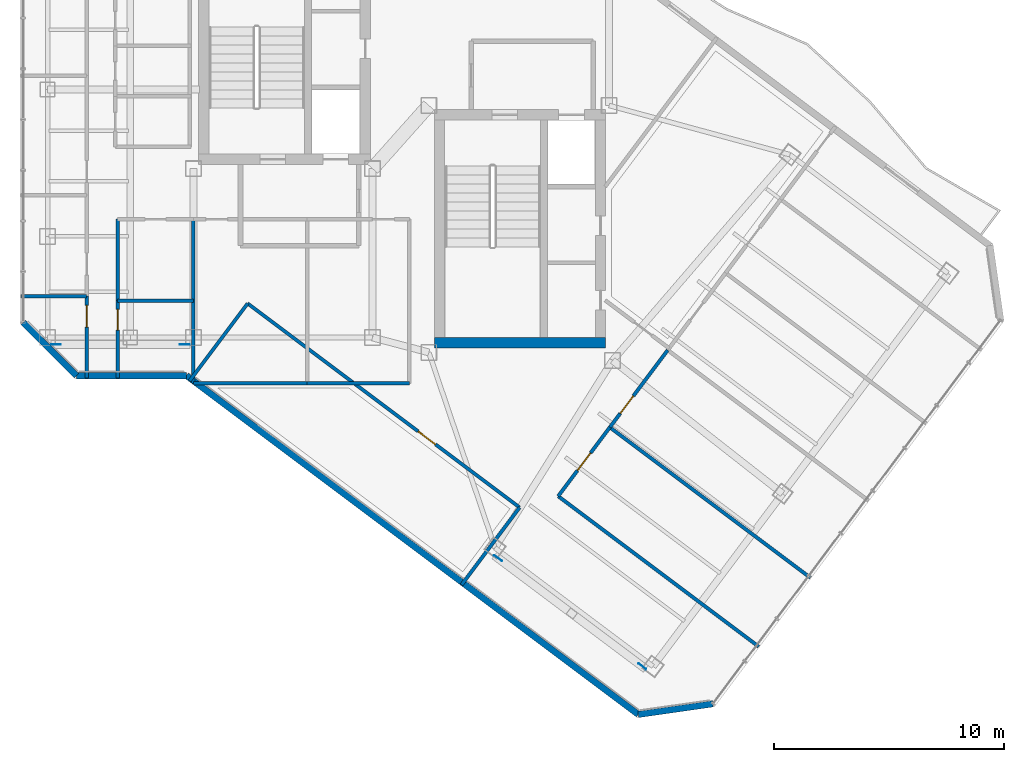
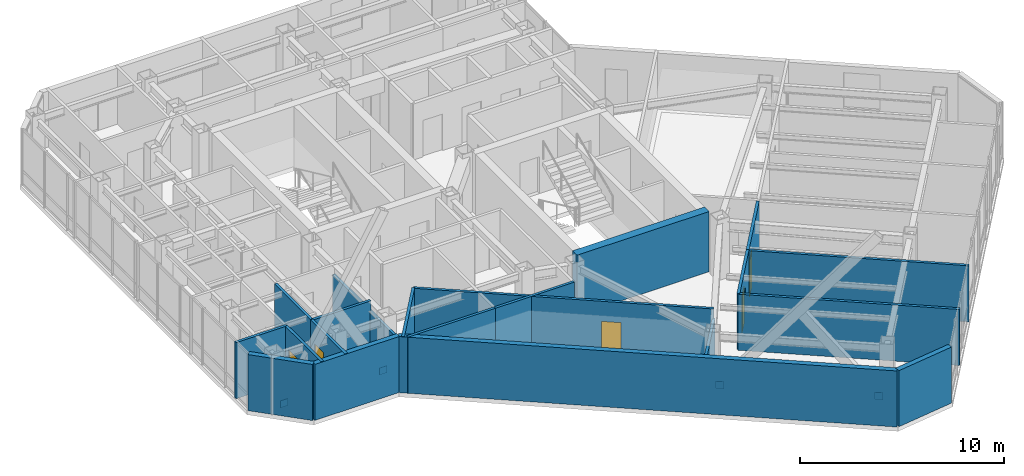
# One storey, part 19 of 25: 20 walls, 5 doors, 4 plates, 5 openings.
"""IFC4 building model written with IfcOpenShell, lengths in metres."""

from ifc_helpers import new_model, si_unit, direction, frame, frame_2d, origin, origin_2d, place, context, subcontext, project, spatial, rectangle, extrude, material, layer, layer_set, type_object, element, fill, save


model = new_model("IFC4")

# Units and contexts
model_context = context("Model", 3, precision=1e-05, world=origin(), true_north=direction((0.0, 1.0)))
body_context = subcontext(model_context, "Body", "Model", "MODEL_VIEW")
ifc_project = project(units=[si_unit("LENGTHUNIT", "METRE"), si_unit("AREAUNIT", "SQUARE_METRE"), si_unit("VOLUMEUNIT", "CUBIC_METRE"), si_unit("PLANEANGLEUNIT", "RADIAN"), si_unit("MASSUNIT", "GRAM", prefix="KILO")], contexts=[model_context])

# Site, building, storey
site_placement = place(None, origin())
site = spatial("IfcSite", under=ifc_project, at=site_placement, CompositionType="ELEMENT")
building_placement = place(site_placement, origin())
building = spatial("IfcBuilding", under=site, at=building_placement, Name="Hatsunagi Terrace Concourse", CompositionType="ELEMENT")
storey_placement = place(building_placement, frame((0.0, 0.0, 223.949951171875)))
storey = spatial("IfcBuildingStorey", under=building, at=storey_placement, Name="L59", CompositionType="ELEMENT", Elevation=223.949951171875)

# Plates
ifc_material_1 = material(Name="Steel SN490C", Category="steel")
ifc_layer_1 = layer(ifc_material_1, 0.031982421875)
ifc_layer_set_1 = layer_set([ifc_layer_1], Name="XBraceNodeCapPlate_32")
plate_type = type_object("IfcPlateType", Name="XBraceNodeCapPlate_32", PredefinedType="USERDEFINED", material=ifc_layer_set_1)
for number, where, z_axis, x_axis, name in (
    (1, (19.574951171875, 24.89990234375, 0.22998046875), (0.0, 0.0, 1.0), (1.0, 0.0, 0.0), "Cast-In Core and Node Embed Plate GP-02 EP-XB-L59-W1-AB"),
    (2, (25.175048828125, 24.89990234375, 0.22998046875), (0.0, 0.0, 1.0), (1.0, 0.0, 0.0), "Cast-In Core and Node Embed Plate GP-02 EP-XB-L59-W1-BB"),
    (3, (38.81201171875, 15.591064453125, 0.22998046875), (0.0, 0.0, 1.0), (0.799999996291, -0.600000004945, 0.0), "Cast-In Core and Node Embed Plate GP-02 EP-XB-L59-SE-AB"),
    (4, (45.092041015625, 10.881103515625, 0.22998046875), (0.0, 0.0, 1.0), (0.799999996291, -0.600000004945, 0.0), "Cast-In Core and Node Embed Plate GP-02 EP-XB-L59-SE-BB"),
):
    element("IfcPlate", number, at=place(storey_placement, frame(where, z_axis=z_axis, x_axis=x_axis)), inside=storey, type_object=plate_type, Name=name, ObjectType="GUSSET_PLATE", PredefinedType="USERDEFINED", context=body_context, shape_type="SweptSolid", body=[
        extrude(rectangle(XDim=0.419921875, YDim=0.031982421875, at=origin_2d()), origin(), (0.0, 0.0, 1.0), 0.419921875),
    ])

# Walls
ifc_material_2 = material(Name="Concrete Fc42", Category="concrete")
ifc_layer_2 = layer(ifc_material_2, 0.449951171875)
ifc_layer_set_2 = layer_set([ifc_layer_2], Name="CoreShearWall_Fc42_450")
wall_type_1 = type_object("IfcWallType", Name="CoreShearWall_Fc42_450", PredefinedType="SHEAR", material=ifc_layer_set_2)
wall_1_placement = place(storey_placement, frame((36.0400390625, 24.965087890625, 0.0), z_axis=(0.0, 0.0, 1.0), x_axis=(1.0, 0.0, 0.0)))
element("IfcWall", 5, at=wall_1_placement, inside=storey, type_object=wall_type_1, Name="Core B Shear Wall S L59", PredefinedType="SHEAR", context=body_context, shape_type="SweptSolid", body=[
    extrude(rectangle(XDim=7.4599609375, YDim=0.449951171875, at=frame_2d((3.72998046875, 0.0))), origin(), (0.0, 0.0, 1.0), 3.60009765625),
])
ifc_material_3 = material(Name="Acoustic mineral board", Category="gypsum")
ifc_layer_3 = layer(ifc_material_3, 0.14990234375)
ifc_layer_set_3 = layer_set([ifc_layer_3], Name="PartitionWall_EI60_150")
wall_type_2 = type_object("IfcWallType", Name="PartitionWall_EI60_150", PredefinedType="PARTITIONING", material=ifc_layer_set_3)
wall_2_placement = place(storey_placement, frame((25.550048828125, 23.199951171875, 0.0), z_axis=(0.0, 0.0, 1.0), x_axis=(1.0, 0.0, 0.0)))
element("IfcWall", 6, at=wall_2_placement, inside=storey, type_object=wall_type_2, Name="Interior Partition IW-L59-025", PredefinedType="PARTITIONING", context=body_context, shape_type="SweptSolid", body=[
    extrude(rectangle(XDim=4.949951171875, YDim=0.14990234375, at=frame_2d((2.47509765625, 0.0))), origin(), (0.0, 0.0, 1.0), 3.35009765625),
])
wall_3_placement = place(storey_placement, frame((25.550048828125, 23.199951171875, 0.0), z_axis=(0.0, 0.0, 1.0), x_axis=(0.0, 1.0, 0.0)))
element("IfcWall", 7, at=wall_3_placement, inside=storey, type_object=wall_type_2, Name="Interior Partition IW-L59-027", PredefinedType="PARTITIONING", context=body_context, shape_type="SweptSolid", body=[
    extrude(rectangle(XDim=7.150146484375, YDim=0.14990234375, at=frame_2d((3.5751953125, 0.0))), origin(), (0.0, 0.0, 1.0), 2.757080078125),
])
wall_4_placement = place(storey_placement, frame((30.5, 23.199951171875, 0.0), z_axis=(0.0, 0.0, 1.0), x_axis=(1.0, 0.0, 0.0)))
element("IfcWall", 8, at=wall_4_placement, inside=storey, type_object=wall_type_2, Name="Interior Partition IW-L59-029", PredefinedType="PARTITIONING", context=body_context, shape_type="SweptSolid", body=[
    extrude(rectangle(XDim=4.449951171875, YDim=0.14990234375, at=frame_2d((2.22509765625, 0.0))), origin(), (0.0, 0.0, 1.0), 3.35009765625),
])
wall_5_placement = place(storey_placement, frame((18.0400390625, 27.0, 0.0), z_axis=(0.0, 0.0, 1.0), x_axis=(1.0, 0.0, 0.0)))
element("IfcWall", 9, at=wall_5_placement, inside=storey, type_object=wall_type_2, Name="Interior Partition IW-L59-032", PredefinedType="PARTITIONING", context=body_context, shape_type="SweptSolid", body=[
    extrude(rectangle(XDim=2.85986328125, YDim=0.14990234375, at=frame_2d((1.429931640625, 0.0))), origin(), (0.0, 0.0, 1.0), 3.35009765625),
])

# Wall, opening, door
wall_6_placement = place(storey_placement, frame((20.89990234375, 23.43994140625, 0.0), z_axis=(0.0, 0.0, 1.0), x_axis=(0.0, 1.0, 0.0)))
wall_6 = element("IfcWall", 10, at=wall_6_placement, inside=storey, type_object=wall_type_2, Name="Interior Partition IW-L59-033", PredefinedType="PARTITIONING", context=body_context, shape_type="SweptSolid", body=[
    extrude(rectangle(XDim=3.56005859375, YDim=0.14990234375, at=frame_2d((1.780029296875, 0.0))), origin(), (0.0, 0.0, 1.0), 3.35009765625),
])
opening_1_placement = place(wall_6_placement, frame((2.2109375, 0.0, 0.0)))
opening_1 = element("IfcOpeningElement", 11, at=opening_1_placement, cuts=wall_6, Name="Opening DR-095", PredefinedType="OPENING", context=body_context, shape_type="SweptSolid", body=[
    extrude(rectangle(XDim=0.949951171875, YDim=2.14990234375, at=frame_2d((0.47509765625, 1.074951171875))), frame((0.0, 0.0849609375, 0.0), z_axis=(0.0, -1.0, 0.0), x_axis=(1.0, 0.0, 0.0)), (0.0, 0.0, 1.0), 0.169921875),
])
ifc_material_4 = material(Name="Hardwood timber", Category="wood")
door_type_1 = type_object("IfcDoorType", Name="InteriorSuiteDoor_EI30_950", OperationType="NOTDEFINED", PredefinedType="DOOR", material=ifc_material_4)
door_1_placement = place(opening_1_placement, origin())
door_1 = element("IfcDoor", 12, at=door_1_placement, inside=storey, type_object=door_type_1, Name="Focus Room L59-OW1 Door", OperationType="SINGLE_SWING_RIGHT", OverallHeight=2.14990234375, OverallWidth=0.949951171875, PredefinedType="DOOR", context=body_context, shape_type="SweptSolid", body=[
    extrude(rectangle(XDim=0.949951171875, YDim=2.14990234375, at=frame_2d((0.47509765625, 1.074951171875))), frame((0.0, 0.02490234375, 0.0), z_axis=(0.0, -1.0, 0.0), x_axis=(1.0, 0.0, 0.0)), (0.0, 0.0, 1.0), 0.050048828125),
])
fill(opening_1, door_1)

# Walls
for number, where, z_axis, x_axis, name in (
    (13, (41.429931640625, 18.2900390625, 0.0), (0.0, 0.0, 1.0), (0.799994629375, -0.600007160767, 0.0), "Interior Partition IW-L59-050"),
    (14, (43.679931640625, 21.2900390625, 0.0), (0.0, 0.0, 1.0), (0.799994629375, -0.600007160767, 0.0), "Interior Partition IW-L59-051"),
):
    element("IfcWall", number, at=place(storey_placement, frame(where, z_axis=z_axis, x_axis=x_axis)), inside=storey, type_object=wall_type_2, Name=name, PredefinedType="PARTITIONING", context=body_context, shape_type="SweptSolid", body=[
        extrude(rectangle(XDim=10.91015625, YDim=0.14990234375, at=frame_2d((5.455078125, 0.0))), origin(), (0.0, 0.0, 1.0), 3.35009765625),
    ])

# Wall, opening, door
wall_7_placement = place(storey_placement, frame((41.429931640625, 18.2900390625, 0.0), z_axis=(0.0, 0.0, 1.0), x_axis=(0.6, 0.8, 0.0)))
wall_7 = element("IfcWall", 15, at=wall_7_placement, inside=storey, type_object=wall_type_2, Name="Interior Partition IW-L59-052", PredefinedType="PARTITIONING", context=body_context, shape_type="SweptSolid", body=[
    extrude(rectangle(XDim=3.75, YDim=0.14990234375, at=frame_2d((1.875, 0.0))), origin(), (0.0, 0.0, 1.0), 3.35009765625),
])
opening_2_placement = place(wall_7_placement, frame((1.39990234375, 0.0, 0.0)))
opening_2 = element("IfcOpeningElement", 16, at=opening_2_placement, cuts=wall_7, Name="Opening DR-095", PredefinedType="OPENING", context=body_context, shape_type="SweptSolid", body=[
    extrude(rectangle(XDim=0.949951171875, YDim=2.14990234375, at=frame_2d((0.47509765625, 1.074951171875))), frame((0.0, 0.0849609375, 0.0), z_axis=(0.0, -1.0, 0.0), x_axis=(1.0, 0.0, 0.0)), (0.0, 0.0, 1.0), 0.169921875),
])
door_2_placement = place(opening_2_placement, origin())
door_2 = element("IfcDoor", 17, at=door_2_placement, inside=storey, type_object=door_type_1, Name="Focus Room L59-OSE1 Door", OperationType="SINGLE_SWING_RIGHT", OverallHeight=2.14990234375, OverallWidth=0.949951171875, PredefinedType="DOOR", context=body_context, shape_type="SweptSolid", body=[
    extrude(rectangle(XDim=0.949951171875, YDim=2.14990234375, at=frame_2d((0.47509765625, 1.074951171875))), frame((0.0, 0.02490234375, 0.0), z_axis=(0.0, -1.0, 0.0), x_axis=(1.0, 0.0, 0.0)), (0.0, 0.0, 1.0), 0.050048828125),
])
fill(opening_2, door_2)

wall_8_placement = place(storey_placement, frame((43.679931640625, 21.2900390625, 0.0), z_axis=(0.0, 0.0, 1.0), x_axis=(0.600018601461, 0.799986048566, 0.0)))
wall_8 = element("IfcWall", 18, at=wall_8_placement, inside=storey, type_object=wall_type_2, Name="Interior Partition IW-L59-054", PredefinedType="PARTITIONING", context=body_context, shape_type="SweptSolid", body=[
    extrude(rectangle(XDim=4.199951171875, YDim=0.14990234375, at=frame_2d((2.10009765625, 0.0))), origin(), (0.0, 0.0, 1.0), 3.35009765625),
])
opening_3_placement = place(wall_8_placement, frame((0.75390625, 0.0, 0.0)))
opening_3 = element("IfcOpeningElement", 19, at=opening_3_placement, cuts=wall_8, Name="Opening DR-095", PredefinedType="OPENING", context=body_context, shape_type="SweptSolid", body=[
    extrude(rectangle(XDim=0.949951171875, YDim=2.14990234375, at=frame_2d((0.47509765625, 1.074951171875))), frame((0.0, 0.0849609375, 0.0), z_axis=(0.0, -1.0, 0.0), x_axis=(1.0, 0.0, 0.0)), (0.0, 0.0, 1.0), 0.169921875),
])
door_3_placement = place(opening_3_placement, origin())
door_3 = element("IfcDoor", 20, at=door_3_placement, inside=storey, type_object=door_type_1, Name="Executive Office L59-OSE2 Door", OperationType="SINGLE_SWING_RIGHT", OverallHeight=2.14990234375, OverallWidth=0.949951171875, PredefinedType="DOOR", context=body_context, shape_type="SweptSolid", body=[
    extrude(rectangle(XDim=0.949951171875, YDim=2.14990234375, at=frame_2d((0.47509765625, 1.074951171875))), frame((0.0, 0.02490234375, 0.0), z_axis=(0.0, -1.0, 0.0), x_axis=(1.0, 0.0, 0.0)), (0.0, 0.0, 1.0), 0.050048828125),
])
fill(opening_3, door_3)

# Wall
wall_9_placement = place(storey_placement, frame((22.25, 26.800048828125, 0.0), z_axis=(0.0, 0.0, 1.0), x_axis=(1.0, 0.0, 0.0)))
element("IfcWall", 21, at=wall_9_placement, inside=storey, type_object=wall_type_2, Name="Interior Partition IW-L59-062", PredefinedType="PARTITIONING", context=body_context, shape_type="SweptSolid", body=[
    extrude(rectangle(XDim=3.300048828125, YDim=0.14990234375, at=frame_2d((1.64990234375, 0.0))), origin(), (0.0, 0.0, 1.0), 3.35009765625),
])

# Wall, opening, door
wall_10_placement = place(storey_placement, frame((22.25, 23.43994140625, 0.0), z_axis=(0.0, 0.0, 1.0), x_axis=(0.0, 1.0, 0.0)))
wall_10 = element("IfcWall", 22, at=wall_10_placement, inside=storey, type_object=wall_type_2, Name="Interior Partition IW-L59-063", PredefinedType="PARTITIONING", context=body_context, shape_type="SweptSolid", body=[
    extrude(rectangle(XDim=3.360107421875, YDim=0.14990234375, at=frame_2d((1.68017578125, 0.0))), origin(), (0.0, 0.0, 1.0), 3.35009765625),
])
opening_4_placement = place(wall_10_placement, frame((2.080078125, 0.0, 0.0)))
opening_4 = element("IfcOpeningElement", 23, at=opening_4_placement, cuts=wall_10, Name="Opening DR-090", PredefinedType="OPENING", context=body_context, shape_type="SweptSolid", body=[
    extrude(rectangle(XDim=0.89990234375, YDim=2.14990234375, at=frame_2d((0.449951171875, 1.074951171875))), frame((0.0, 0.0849609375, 0.0), z_axis=(0.0, -1.0, 0.0), x_axis=(1.0, 0.0, 0.0)), (0.0, 0.0, 1.0), 0.169921875),
])
ifc_material_5 = material(Name="Hardwood timber", Category="wood")
door_type_2 = type_object("IfcDoorType", Name="CrownPavilionDoor_EI30_900", OperationType="NOTDEFINED", PredefinedType="DOOR", material=ifc_material_5)
door_4_placement = place(opening_4_placement, origin())
door_4 = element("IfcDoor", 24, at=door_4_placement, inside=storey, type_object=door_type_2, Name="Private Salon L59-OCSWA Door", OperationType="SINGLE_SWING_LEFT", OverallHeight=2.14990234375, OverallWidth=0.89990234375, PredefinedType="DOOR", context=body_context, shape_type="SweptSolid", body=[
    extrude(rectangle(XDim=0.89990234375, YDim=2.14990234375, at=frame_2d((0.449951171875, 1.074951171875))), frame((0.0, 0.02490234375, 0.0), z_axis=(0.0, -1.0, 0.0), x_axis=(1.0, 0.0, 0.0)), (0.0, 0.0, 1.0), 0.050048828125),
])
fill(opening_4, door_4)

# Wall
wall_11_placement = place(storey_placement, frame((22.25, 26.800048828125, 0.0), z_axis=(0.0, 0.0, 1.0), x_axis=(0.0, 1.0, 0.0)))
element("IfcWall", 25, at=wall_11_placement, inside=storey, type_object=wall_type_2, Name="Interior Partition IW-L59-065", PredefinedType="PARTITIONING", context=body_context, shape_type="SweptSolid", body=[
    extrude(rectangle(XDim=3.550048828125, YDim=0.14990234375, at=frame_2d((1.77490234375, 0.0))), origin(), (0.0, 0.0, 1.0), 3.35009765625),
])

# Wall, opening, door
wall_12_placement = place(storey_placement, frame((27.909912109375, 26.679931640625, 0.0), z_axis=(0.0, 0.0, 1.0), x_axis=(0.800005938517, -0.599992081896, 0.0)))
wall_12 = element("IfcWall", 26, at=wall_12_placement, inside=storey, type_object=wall_type_2, Name="Interior Partition IW-L59-067", PredefinedType="PARTITIONING", context=body_context, shape_type="SweptSolid", body=[
    extrude(rectangle(XDim=14.800048828125, YDim=0.14990234375, at=frame_2d((7.39990234375, 0.0))), origin(), (0.0, 0.0, 1.0), 3.35009765625),
])
opening_5_placement = place(wall_12_placement, frame((9.281005859375, 0.0, 0.0)))
opening_5 = element("IfcOpeningElement", 27, at=opening_5_placement, cuts=wall_12, Name="Opening DR-095", PredefinedType="OPENING", context=body_context, shape_type="SweptSolid", body=[
    extrude(rectangle(XDim=0.949951171875, YDim=2.14990234375, at=frame_2d((0.47509765625, 1.074951171875))), frame((0.0, 0.0849609375, 0.0), z_axis=(0.0, -1.0, 0.0), x_axis=(1.0, 0.0, 0.0)), (0.0, 0.0, 1.0), 0.169921875),
])
door_5_placement = place(opening_5_placement, origin())
door_5 = element("IfcDoor", 28, at=door_5_placement, inside=storey, type_object=door_type_1, Name="Research Focus Suite L59-OSWS Door", OperationType="SINGLE_SWING_RIGHT", OverallHeight=2.14990234375, OverallWidth=0.949951171875, PredefinedType="DOOR", context=body_context, shape_type="SweptSolid", body=[
    extrude(rectangle(XDim=0.949951171875, YDim=2.14990234375, at=frame_2d((0.47509765625, 1.074951171875))), frame((0.0, 0.02490234375, 0.0), z_axis=(0.0, -1.0, 0.0), x_axis=(1.0, 0.0, 0.0)), (0.0, 0.0, 1.0), 0.050048828125),
])
fill(opening_5, door_5)

# Walls
wall_13_placement = place(storey_placement, frame((25.384033203125, 23.31201171875, 0.0), z_axis=(0.0, 0.0, 1.0), x_axis=(0.599990721155, 0.80000695905, 0.0)))
element("IfcWall", 29, at=wall_13_placement, inside=storey, type_object=wall_type_2, Name="Interior Partition IW-L59-068", PredefinedType="PARTITIONING", context=body_context, shape_type="SweptSolid", body=[
    extrude(rectangle(XDim=4.2099609375, YDim=0.14990234375, at=frame_2d((2.10498046875, 0.0))), origin(), (0.0, 0.0, 1.0), 3.35009765625),
])
wall_14_placement = place(storey_placement, frame((37.22412109375, 14.431884765625, 0.0), z_axis=(0.0, 0.0, 1.0), x_axis=(0.599962885857, 0.800027834262, 0.0)))
element("IfcWall", 30, at=wall_14_placement, inside=storey, type_object=wall_type_2, Name="Interior Partition IW-L59-069", PredefinedType="PARTITIONING", context=body_context, shape_type="SweptSolid", body=[
    extrude(rectangle(XDim=4.2099609375, YDim=0.14990234375, at=frame_2d((2.10498046875, 0.0))), origin(), (0.0, 0.0, 1.0), 2.757080078125),
])
ifc_material_6 = material(Name="Autoclaved Lightweight Concrete and Terracotta Cladding", Category="masonry")
ifc_layer_4 = layer(ifc_material_6, 0.280029296875)
ifc_layer_set_4 = layer_set([ifc_layer_4], Name="TerracottaSpandrelWall_280")
wall_type_3 = type_object("IfcWallType", Name="TerracottaSpandrelWall_280", PredefinedType="STANDARD", material=ifc_layer_set_4)
wall_15_placement = place(storey_placement, frame((48.1630859375, 9.25, 0.0), z_axis=(0.0, 0.0, 1.0), x_axis=(-0.989979263428, -0.141212810973, 0.0)))
element("IfcWall", 31, at=wall_15_placement, inside=storey, type_object=wall_type_3, Name="Exterior Spandrel Wall EW-L59-04", PredefinedType="STANDARD", context=body_context, shape_type="SweptSolid", body=[
    extrude(rectangle(XDim=3.278076171875, YDim=0.280029296875, at=frame_2d((1.63916015625, 0.0))), origin(), (0.0, 0.0, 1.0), 3.35009765625),
])
wall_16_placement = place(storey_placement, frame((44.91796875, 8.787109375, 0.0), z_axis=(0.0, 0.0, 1.0), x_axis=(-0.800004765927, 0.599993645378, 0.0)))
element("IfcWall", 32, at=wall_16_placement, inside=storey, type_object=wall_type_3, Name="Exterior Spandrel Wall EW-L59-05", PredefinedType="STANDARD", context=body_context, shape_type="SweptSolid", body=[
    extrude(rectangle(XDim=24.58837890625, YDim=0.280029296875, at=frame_2d((12.294189453125, 0.0))), origin(), (0.0, 0.0, 1.0), 3.35009765625),
])
wall_17_placement = place(storey_placement, frame((25.2470703125, 23.5400390625, 0.0), z_axis=(0.0, 0.0, 1.0), x_axis=(-1.0, 0.0, 0.0)))
element("IfcWall", 33, at=wall_17_placement, inside=storey, type_object=wall_type_3, Name="Exterior Spandrel Wall EW-L59-06", PredefinedType="STANDARD", context=body_context, shape_type="SweptSolid", body=[
    extrude(rectangle(XDim=4.7890625, YDim=0.280029296875, at=frame_2d((2.39453125, 0.0))), origin(), (0.0, 0.0, 1.0), 3.35009765625),
])
wall_18_placement = place(storey_placement, frame((20.4580078125, 23.5400390625, 0.0), z_axis=(0.0, 0.0, 1.0), x_axis=(-0.707144017911, 0.707069542501, 0.0)))
element("IfcWall", 34, at=wall_18_placement, inside=storey, type_object=wall_type_3, Name="Exterior Spandrel Wall EW-L59-07", PredefinedType="STANDARD", context=body_context, shape_type="SweptSolid", body=[
    extrude(rectangle(XDim=3.278076171875, YDim=0.280029296875, at=frame_2d((1.63916015625, 0.0))), origin(), (0.0, 0.0, 1.0), 3.35009765625),
])

save(model, "model.ifc")
